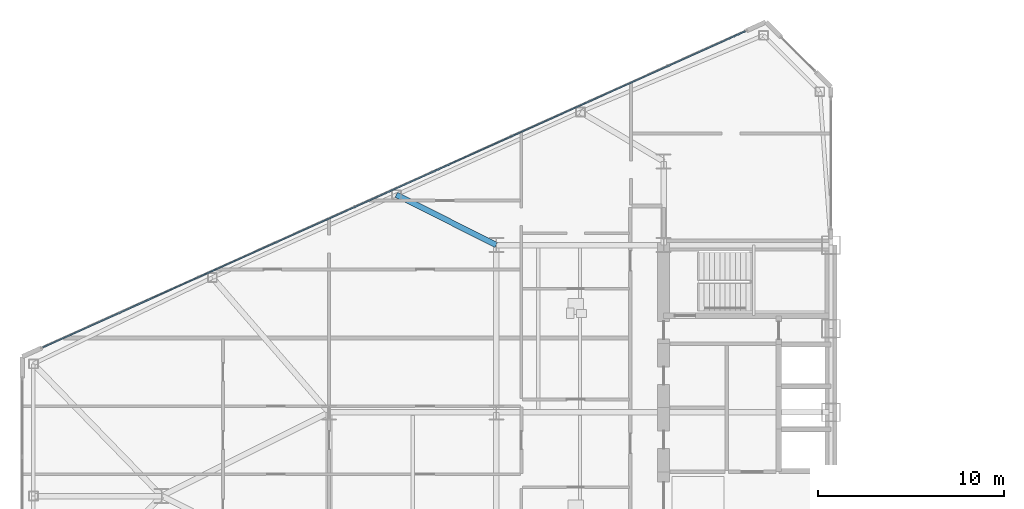
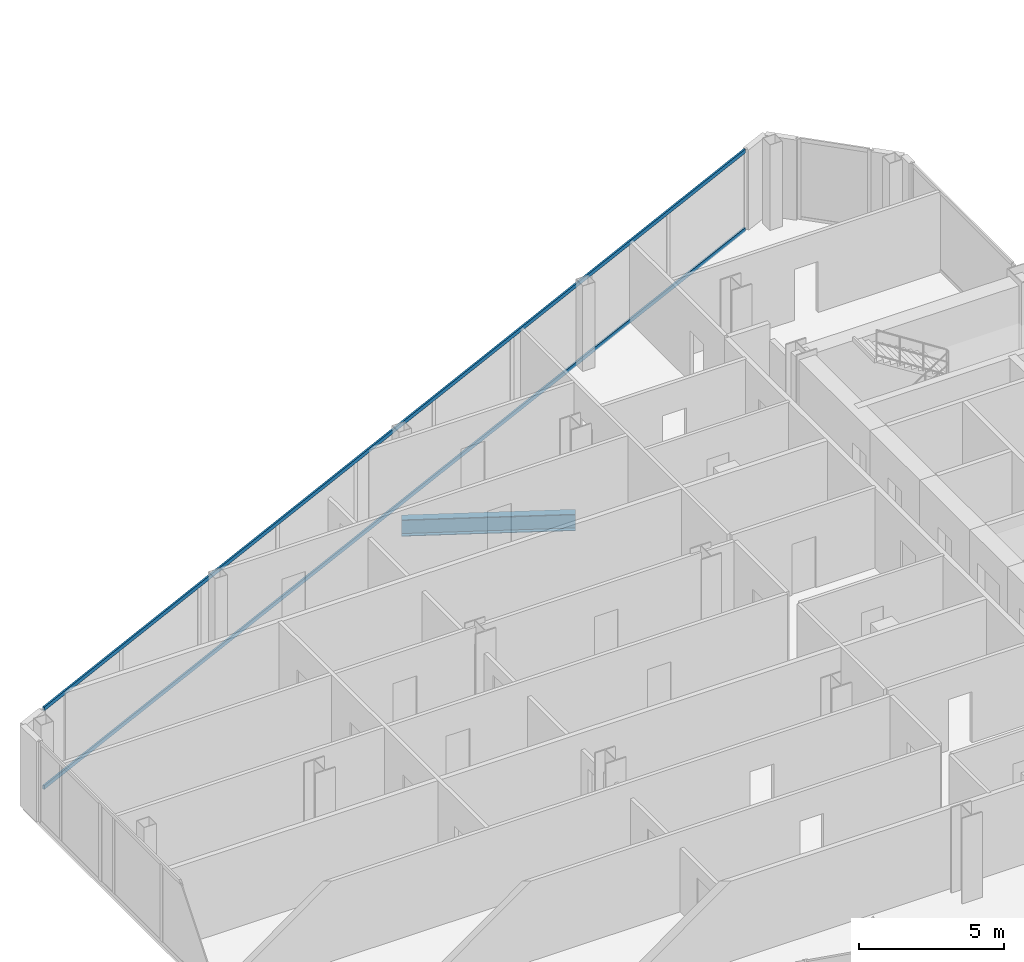
# One storey, part 8 of 27: 2 members, 1 beam, 1 element without a shape of its own.
"""IFC4 building model written with IfcOpenShell, lengths in metres."""

from ifc_helpers import new_model, si_unit, direction, frame, origin, origin_2d, place, context, subcontext, project, spatial, rectangle, i_section, extrude, source, transform, mapped, material, layer, layer_set, material_profile, profile_set, type_object, type_shapes, element, aggregate, save


model = new_model("IFC4")

# Units and contexts
model_context = context("Model", 3, precision=1e-05, world=origin(), true_north=direction((0.0, 1.0)))
body_context = subcontext(model_context, "Body", "Model", "MODEL_VIEW")
ifc_project = project(units=[si_unit("LENGTHUNIT", "METRE"), si_unit("AREAUNIT", "SQUARE_METRE"), si_unit("VOLUMEUNIT", "CUBIC_METRE"), si_unit("PLANEANGLEUNIT", "RADIAN"), si_unit("MASSUNIT", "GRAM", prefix="KILO")], contexts=[model_context])

# Site, building, storey
site_placement = place(None, origin())
site = spatial("IfcSite", under=ifc_project, at=site_placement, CompositionType="ELEMENT")
building_placement = place(site_placement, origin())
building = spatial("IfcBuilding", under=site, at=building_placement, Name="Seokmaru Belvedere", CompositionType="ELEMENT")
storey_placement = place(building_placement, frame((0.0, 0.0, 92.39990234375)))
storey = spatial("IfcBuildingStorey", under=building, at=storey_placement, Name="L24", CompositionType="ELEMENT", Elevation=92.39990234375)

# Beam
ifc_material_1 = material(Name="Steel SM355 (355 MPa)", Category="steel")
ifc_material_profile_1 = material_profile(ifc_material_1, i_section(OverallWidth=0.300048828125, OverallDepth=0.699951171875, WebThickness=0.012939453125, FlangeThickness=0.02392578125, at=origin_2d()), Name="H-700x300x13x24")
ifc_profile_set_1 = profile_set([ifc_material_profile_1], Name="Steel SM355 (355 MPa)")
beam_type = type_object("IfcBeamType", Name="Primary Floor Girder H-700", PredefinedType="BEAM", material=ifc_profile_set_1)
shared_shape_1 = source(origin(), body_context, "Body", "SweptSolid", [
    extrude(i_section(OverallWidth=0.300048828125, OverallDepth=0.699951171875, WebThickness=0.012939453125, FlangeThickness=0.02392578125, at=origin_2d()), origin(), (0.0, 0.0, 1.0), 6.017333984375),
])
type_shapes(beam_type, [shared_shape_1])
beam_placement = place(storey_placement, frame((-50.875, 16.205322265625, -0.56982421875), z_axis=(0.893239341975, -0.449581447512, 0.0), x_axis=(0.449581447512, 0.893239341975, 0.0)))
element("IfcBeam", 1, at=beam_placement, inside=storey, type_object=beam_type, Name="L24 W Flank Radial Floor Girder N-2", PredefinedType="BEAM", context=body_context, shape_type="MappedRepresentation", body=[
    mapped(shared_shape_1, transform((0.0, 0.0, 0.0), scale=1.0)),
])

# Curtain wall, members
ifc_material_2 = material(Name="Bronze Triple Insulating Glass", Category="glass")
ifc_layer = layer(ifc_material_2, 0.195068359375)
ifc_layer_set = layer_set([ifc_layer], Name="Bronze Triple Insulating Glass")
curtain_wall_type = type_object("IfcCurtainWallType", Name="Lower-Mid Tapered Curtain Wall System CW-3", PredefinedType="NOTDEFINED", material=ifc_layer_set)
curtain_wall_placement = place(storey_placement, origin())
curtain_wall = element("IfcCurtainWall", 2, at=curtain_wall_placement, inside=storey, type_object=curtain_wall_type, Name="L24 Curtain Wall WF3", PredefinedType="NOTDEFINED")
ifc_material_3 = material(Name="Anodised Bronze Aluminium", Category="aluminium")
ifc_material_profile_2 = material_profile(ifc_material_3, rectangle(XDim=0.070068359375, YDim=0.1650390625, at=origin_2d()), Name="CW-T-70x165")
ifc_profile_set_2 = profile_set([ifc_material_profile_2], Name="Anodised Bronze Aluminium")
member_type = type_object("IfcMemberType", Name="Bronze Unitised Transom 70x165", PredefinedType="USERDEFINED", material=ifc_profile_set_2)
shared_shape_2 = source(origin(), body_context, "Body", "SweptSolid", [
    extrude(rectangle(XDim=0.070068359375, YDim=0.1650390625, at=origin_2d()), origin(), (0.0, 0.0, 1.0), 41.423583984375),
])
type_shapes(member_type, [shared_shape_2])
member_1_placement = place(storey_placement, frame((-32.112548828125, 24.99951171875, 0.03515625), z_axis=(-0.911918637916, -0.410371048956, 0.0), x_axis=(0.410371048956, -0.911918637916, 0.0)))
member_1 = element("IfcMember", 3, at=member_1_placement, type_object=member_type, Name="CW:L24:WF3 Continuous Transom 1", ObjectType="TRANSOM", PredefinedType="USERDEFINED", context=body_context, shape_type="MappedRepresentation", body=[
    mapped(shared_shape_2, transform((0.0, 0.0, 0.0), scale=1.0)),
])
member_2_placement = place(storey_placement, frame((-32.112548828125, 24.99951171875, 3.34521484375), z_axis=(-0.911918637916, -0.410371048956, 0.0), x_axis=(0.410371048956, -0.911918637916, 0.0)))
member_2 = element("IfcMember", 4, at=member_2_placement, type_object=member_type, Name="CW:L24:WF3 Continuous Transom 2", ObjectType="TRANSOM", PredefinedType="USERDEFINED", context=body_context, shape_type="MappedRepresentation", body=[
    mapped(shared_shape_2, transform((0.0, 0.0, 0.0), scale=1.0)),
])
aggregate(curtain_wall, [member_1, member_2])

save(model, "model.ifc")
